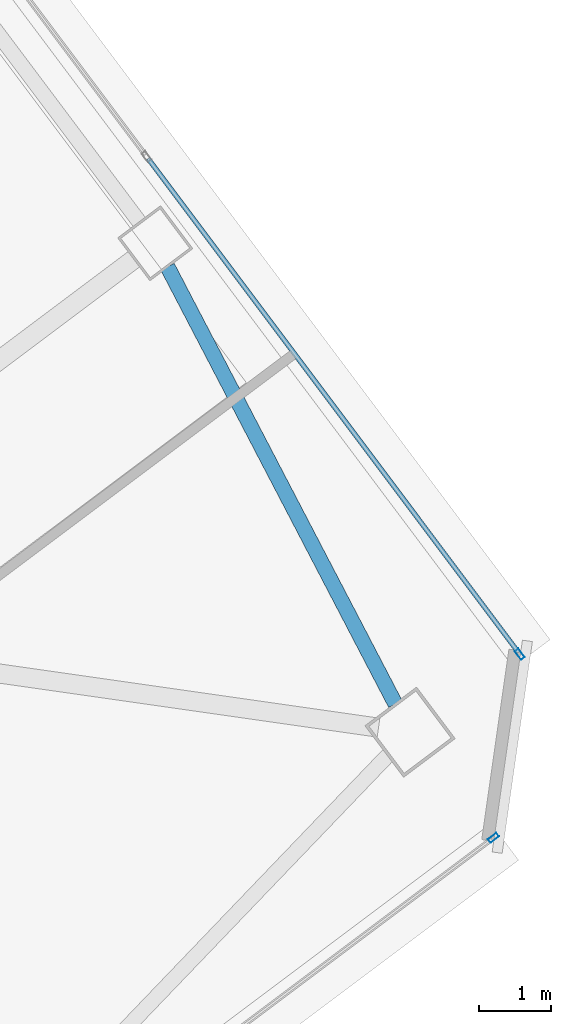
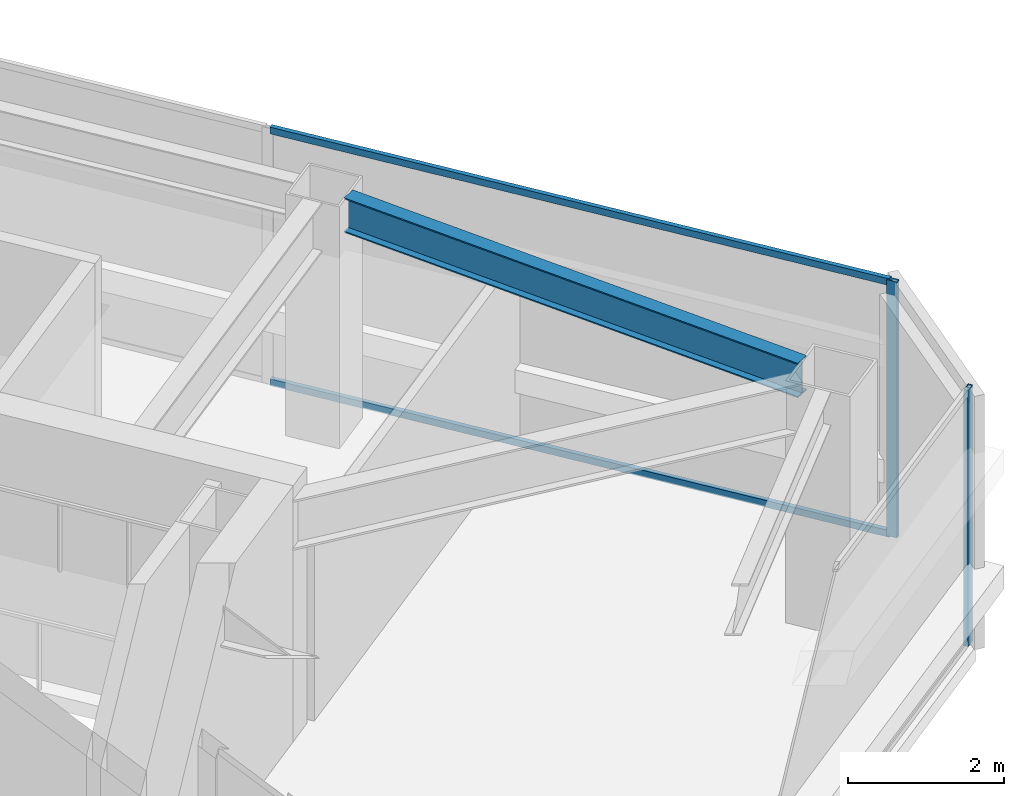
# One storey, part 37 of 51: 4 members, 1 beam, 2 elements without a shape of their own.
"""IFC4 building model written with IfcOpenShell, lengths in metres."""

from ifc_helpers import new_model, si_unit, direction, frame, origin, origin_2d, place, context, subcontext, project, spatial, hollow_rectangle, i_section, extrude, material, material_profile, profile_set, type_object, element, aggregate, save


model = new_model("IFC4")

# Units and contexts
model_context = context("Model", 3, precision=1e-05, world=origin(), true_north=direction((0.0, 1.0)))
body_context = subcontext(model_context, "Body", "Model", "MODEL_VIEW")
ifc_project = project(units=[si_unit("LENGTHUNIT", "METRE"), si_unit("AREAUNIT", "SQUARE_METRE"), si_unit("VOLUMEUNIT", "CUBIC_METRE"), si_unit("PLANEANGLEUNIT", "RADIAN"), si_unit("MASSUNIT", "GRAM", prefix="KILO")], contexts=[model_context])

# Site, building, storey
site_placement = place(None, origin())
site = spatial("IfcSite", under=ifc_project, at=site_placement, CompositionType="ELEMENT")
building_placement = place(site_placement, origin())
building = spatial("IfcBuilding", under=site, at=building_placement, Name="Tashvorn Skyway Center", CompositionType="ELEMENT")
storey_placement = place(building_placement, frame((0.0, 0.0, 251.39990234375)))
storey = spatial("IfcBuildingStorey", under=building, at=storey_placement, Name="L68", CompositionType="ELEMENT", Elevation=251.39990234375)

# Beam
ifc_material_1 = material(Name="Steel ASTM A992 Grade 50", Category="steel")
ifc_material_profile_1 = material_profile(ifc_material_1, i_section(OverallWidth=0.2109375, OverallDepth=0.5390625, WebThickness=0.01171875, FlangeThickness=0.018798828125, at=origin_2d()), Name="W21X73")
ifc_profile_set_1 = profile_set([ifc_material_profile_1], Name="Steel ASTM A992 Grade 50")
beam_type = type_object("IfcBeamType", Name="BM-SPANDREL-W21X73", PredefinedType="SPANDREL", material=ifc_profile_set_1)
beam_placement = place(storey_placement, frame((131.994384765625, 29.794677734375, 3.510498046875), z_axis=(-0.462223120187, 0.886763659136, 0.0), x_axis=(-0.886763659136, -0.462223120187, 0.0)))
element("IfcBeam", 1, at=beam_placement, inside=storey, type_object=beam_type, Name="Tower 2 L68 Spandrel Beam 04", PredefinedType="SPANDREL", context=body_context, shape_type="SweptSolid", body=[
    extrude(i_section(OverallWidth=0.2109375, OverallDepth=0.5390625, WebThickness=0.01171875, FlangeThickness=0.018798828125, at=origin_2d()), origin(), (0.0, 0.0, 1.0), 6.886962890625),
])

# Curtain wall, member
ifc_material_2 = material(Name="Thermally broken bronze-anodized aluminium 6063-T6", Category="aluminium")
curtain_wall_type = type_object("IfcCurtainWallType", Name="CW-CW-SKY", PredefinedType="NOTDEFINED", material=ifc_material_2)
curtain_wall_1_placement = place(storey_placement, origin())
curtain_wall_1 = element("IfcCurtainWall", 2, at=curtain_wall_1_placement, inside=storey, type_object=curtain_wall_type, Name="Tower 2 L68 South Unitised Curtain Wall", PredefinedType="NOTDEFINED")
ifc_material_profile_2 = material_profile(ifc_material_2, hollow_rectangle(XDim=0.06494140625, YDim=0.14990234375, WallThickness=0.00390625, at=origin_2d()), Name="ALU-MULL-65x150")
ifc_profile_set_2 = profile_set([ifc_material_profile_2], Name="Thermally broken bronze-anodized aluminium 6063-T6")
member_type_1 = type_object("IfcMemberType", Name="CWM-CW-SKY", PredefinedType="MULLION", material=ifc_profile_set_2)
member_1_placement = place(storey_placement, frame((133.365966796875, 27.924560546875, 0.0), z_axis=(0.0, 0.0, 1.0), x_axis=(0.600000000002, -0.799999999998, 0.0)))
member_1 = element("IfcMember", 3, at=member_1_placement, type_object=member_type_1, Name="CW-SKY mullion 1", PredefinedType="MULLION", context=body_context, shape_type="SweptSolid", body=[
    extrude(hollow_rectangle(XDim=0.06494140625, YDim=0.14990234375, WallThickness=0.00390625, at=origin_2d()), origin(), (0.0, 0.0, 1.0), 4.0),
])
aggregate(curtain_wall_1, [member_1])

# Curtain wall, members
curtain_wall_2_placement = place(storey_placement, origin())
curtain_wall_2 = element("IfcCurtainWall", 4, at=curtain_wall_2_placement, inside=storey, type_object=curtain_wall_type, Name="Tower 2 L68 East Unitised Curtain Wall", PredefinedType="NOTDEFINED")
member_2_placement = place(storey_placement, frame((133.732421875, 30.489990234375, 0.0), z_axis=(0.0, 0.0, 1.0), x_axis=(0.799999999998, 0.600000000002, 0.0)))
member_2 = element("IfcMember", 5, at=member_2_placement, type_object=member_type_1, Name="CW-SKY mullion 4", PredefinedType="MULLION", context=body_context, shape_type="SweptSolid", body=[
    extrude(hollow_rectangle(XDim=0.06494140625, YDim=0.14990234375, WallThickness=0.00390625, at=origin_2d()), origin(), (0.0, 0.0, 1.0), 4.0),
])
ifc_material_profile_3 = material_profile(ifc_material_2, hollow_rectangle(XDim=0.06494140625, YDim=0.10498046875, WallThickness=0.00390625, at=origin_2d()), Name="ALU-TRAN-65x105")
ifc_profile_set_3 = profile_set([ifc_material_profile_3], Name="Thermally broken bronze-anodized aluminium 6063-T6")
member_type_2 = type_object("IfcMemberType", Name="CWT-CW-SKY", PredefinedType="USERDEFINED", material=ifc_profile_set_3)
member_3_placement = place(storey_placement, frame((128.53955078125, 37.4140625, 0.03271484375), z_axis=(0.599990939221, -0.800006795504, 0.0), x_axis=(0.800006795504, 0.599990939221, 0.0)))
member_3 = element("IfcMember", 6, at=member_3_placement, type_object=member_type_2, Name="CW-SKY transom 3.1", ObjectType="TRANSOM", PredefinedType="USERDEFINED", context=body_context, shape_type="SweptSolid", body=[
    extrude(hollow_rectangle(XDim=0.06494140625, YDim=0.10498046875, WallThickness=0.00390625, at=origin_2d()), origin(), (0.0, 0.0, 1.0), 8.622314453125),
])
member_4_placement = place(storey_placement, frame((128.53955078125, 37.4140625, 3.967529296875), z_axis=(0.599990939221, -0.800006795504, 0.0), x_axis=(0.800006795504, 0.599990939221, 0.0)))
member_4 = element("IfcMember", 7, at=member_4_placement, type_object=member_type_2, Name="CW-SKY transom 3.2", ObjectType="TRANSOM", PredefinedType="USERDEFINED", context=body_context, shape_type="SweptSolid", body=[
    extrude(hollow_rectangle(XDim=0.06494140625, YDim=0.10498046875, WallThickness=0.00390625, at=origin_2d()), origin(), (0.0, 0.0, 1.0), 8.622314453125),
])
aggregate(curtain_wall_2, [member_2, member_3, member_4])

save(model, "model.ifc")
